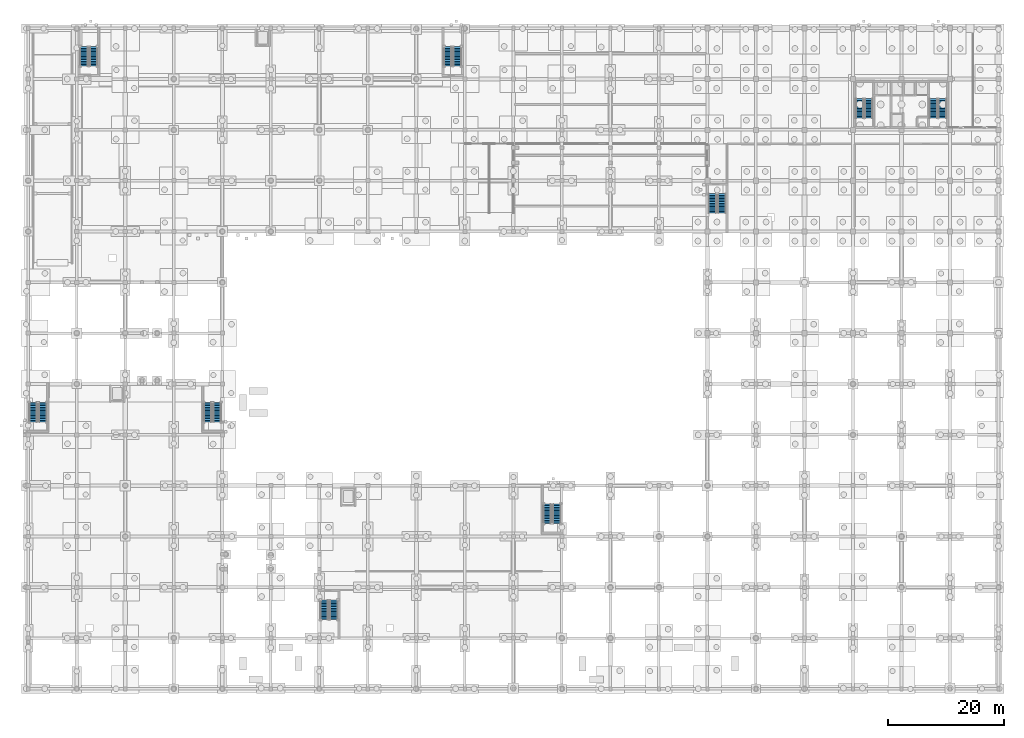
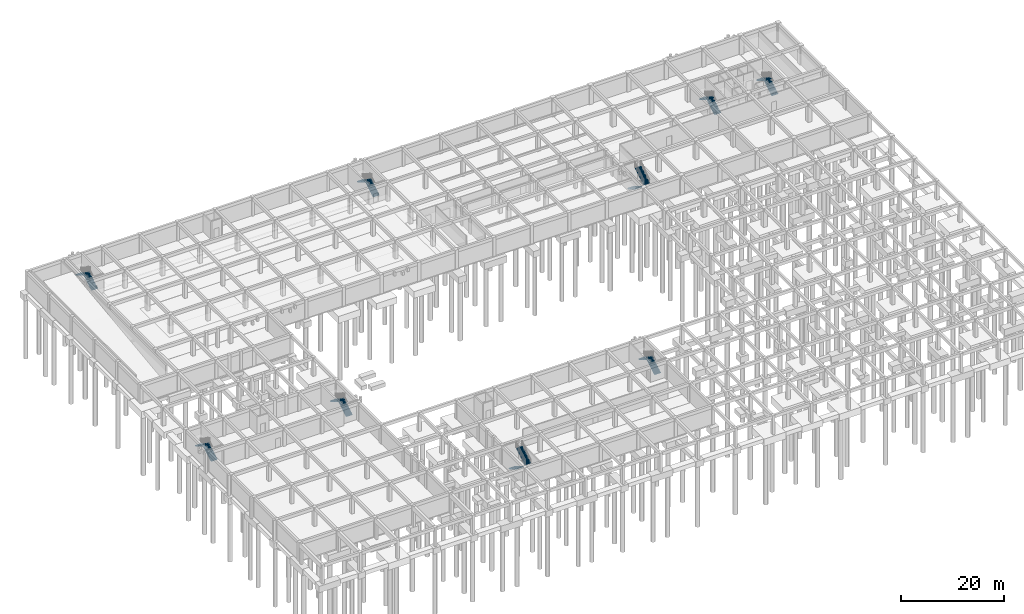
# One storey, part 30 of 41: 18 stair flights, 9 elements without a shape of their own.
"""IFC4 building model written with IfcOpenShell, lengths in metres."""

from ifc_helpers import new_model, si_unit, direction, frame, origin, place, context, subcontext, project, spatial, polyline, outline, extrude, material, type_object, element, aggregate, save


model = new_model("IFC4")

# Units and contexts
model_context = context("Model", 3, precision=1e-05, world=origin(), true_north=direction((0.0, 1.0)))
body_context = subcontext(model_context, "Body", "Model", "MODEL_VIEW")
ifc_project = project(units=[si_unit("LENGTHUNIT", "METRE"), si_unit("AREAUNIT", "SQUARE_METRE"), si_unit("VOLUMEUNIT", "CUBIC_METRE"), si_unit("PLANEANGLEUNIT", "RADIAN"), si_unit("MASSUNIT", "GRAM", prefix="KILO")], contexts=[model_context])

# Site, building, storey
site_placement = place(None, origin())
site = spatial("IfcSite", under=ifc_project, at=site_placement, CompositionType="ELEMENT")
building_placement = place(site_placement, origin())
building = spatial("IfcBuilding", under=site, at=building_placement, Name="Kemercrest Conservatory and Botanical Centre", CompositionType="ELEMENT")
storey_placement = place(building_placement, frame((0.0, 0.0, -4.5)))
storey = spatial("IfcBuildingStorey", under=building, at=storey_placement, Name="B1", CompositionType="ELEMENT", Elevation=-4.5)

# Stair, stair flights
ifc_material = material(Name="Concrete C40/50", Category="concrete")
stair_type_1 = type_object("IfcStairType", Name="ST-140-45", PredefinedType="HALF_TURN_STAIR", material=ifc_material)
stair_1_placement = place(storey_placement, origin())
stair_1 = element("IfcStair", 1, at=stair_1_placement, inside=storey, type_object=stair_type_1, Name="B1 Exit stair ST-V1A", PredefinedType="HALF_TURN_STAIR")
stair_flight_type_1 = type_object("IfcStairFlightType", Name="FL-140-45", PredefinedType="STRAIGHT", material=ifc_material)
stair_flight_1_placement = place(storey_placement, frame((10.5400390625, 54.239990234375, 0.0), z_axis=(0.0, 0.0, 1.0), x_axis=(0.0, 1.0, 0.0)))
stair_flight_1 = element("IfcStairFlight", 2, at=stair_flight_1_placement, type_object=stair_flight_type_1, Name="ST-V1A flight 1", NumberOfRisers=13, NumberOfTreads=12, PredefinedType="STRAIGHT", RiserHeight=0.173076923, TreadLength=0.28, context=body_context, shape_type="SweptSolid", body=[
    extrude(outline(polyline([(0.0, 0.0), (0.0, 0.173095703125), (0.280029296875, 0.173095703125), (0.280029296875, 0.34619140625), (0.56005859375, 0.34619140625), (0.56005859375, 0.519287109375), (0.840087890625, 0.519287109375), (0.840087890625, 0.6923828125), (1.1201171875, 0.6923828125), (1.1201171875, 0.865478515625), (1.39990234375, 0.865478515625), (1.39990234375, 1.03857421875), (1.679931640625, 1.03857421875), (1.679931640625, 1.21142578125), (1.9599609375, 1.21142578125), (1.9599609375, 1.384521484375), (2.239990234375, 1.384521484375), (2.239990234375, 1.5576171875), (2.52001953125, 1.5576171875), (2.52001953125, 1.730712890625), (2.800048828125, 1.730712890625), (2.800048828125, 1.90380859375), (3.080078125, 1.90380859375), (3.080078125, 2.076904296875), (3.360107421875, 2.076904296875), (3.360107421875, 2.25), (3.360107421875, 1.900634765625), (0.28515625, 0.0), (0.0, 0.0)])), frame((0.0, 0.699951171875, 0.0), z_axis=(0.0, -1.0, 0.0), x_axis=(1.0, 0.0, 0.0)), (0.0, 0.0, 1.0), 1.39990234375),
])
stair_flight_2_placement = place(storey_placement, frame((8.860107421875, 57.60009765625, 2.25), z_axis=(0.0, 0.0, 1.0), x_axis=(0.0, -1.0, 0.0)))
stair_flight_2 = element("IfcStairFlight", 3, at=stair_flight_2_placement, type_object=stair_flight_type_1, Name="ST-V1A flight 2", NumberOfRisers=13, NumberOfTreads=12, PredefinedType="STRAIGHT", RiserHeight=0.173076923, TreadLength=0.28, context=body_context, shape_type="SweptSolid", body=[
    extrude(outline(polyline([(0.0, 0.0), (0.0, 0.173095703125), (0.280029296875, 0.173095703125), (0.280029296875, 0.34619140625), (0.56005859375, 0.34619140625), (0.56005859375, 0.519287109375), (0.840087890625, 0.519287109375), (0.840087890625, 0.6923828125), (1.1201171875, 0.6923828125), (1.1201171875, 0.865478515625), (1.39990234375, 0.865478515625), (1.39990234375, 1.03857421875), (1.679931640625, 1.03857421875), (1.679931640625, 1.21142578125), (1.9599609375, 1.21142578125), (1.9599609375, 1.384521484375), (2.239990234375, 1.384521484375), (2.239990234375, 1.5576171875), (2.52001953125, 1.5576171875), (2.52001953125, 1.730712890625), (2.800048828125, 1.730712890625), (2.800048828125, 1.90380859375), (3.080078125, 1.90380859375), (3.080078125, 2.076904296875), (3.360107421875, 2.076904296875), (3.360107421875, 2.25), (3.360107421875, 1.900634765625), (0.28515625, 0.0), (0.0, 0.0)])), frame((0.0, 0.699951171875, 0.0), z_axis=(0.0, -1.0, 0.0), x_axis=(1.0, 0.0, 0.0)), (0.0, 0.0, 1.0), 1.39990234375),
])
aggregate(stair_1, [stair_flight_1, stair_flight_2])

stair_2_placement = place(storey_placement, origin())
stair_2 = element("IfcStair", 4, at=stair_2_placement, inside=storey, type_object=stair_type_1, Name="B1 Exit stair ST-V1B", PredefinedType="HALF_TURN_STAIR")
stair_flight_3_placement = place(storey_placement, frame((40.739990234375, 54.239990234375, 0.0), z_axis=(0.0, 0.0, 1.0), x_axis=(0.0, 1.0, 0.0)))
stair_flight_3 = element("IfcStairFlight", 5, at=stair_flight_3_placement, type_object=stair_flight_type_1, Name="ST-V1B flight 1", NumberOfRisers=13, NumberOfTreads=12, PredefinedType="STRAIGHT", RiserHeight=0.173076923, TreadLength=0.28, context=body_context, shape_type="SweptSolid", body=[
    extrude(outline(polyline([(0.0, 0.0), (0.0, 0.173095703125), (0.280029296875, 0.173095703125), (0.280029296875, 0.34619140625), (0.56005859375, 0.34619140625), (0.56005859375, 0.519287109375), (0.840087890625, 0.519287109375), (0.840087890625, 0.6923828125), (1.1201171875, 0.6923828125), (1.1201171875, 0.865478515625), (1.39990234375, 0.865478515625), (1.39990234375, 1.03857421875), (1.679931640625, 1.03857421875), (1.679931640625, 1.21142578125), (1.9599609375, 1.21142578125), (1.9599609375, 1.384521484375), (2.239990234375, 1.384521484375), (2.239990234375, 1.5576171875), (2.52001953125, 1.5576171875), (2.52001953125, 1.730712890625), (2.800048828125, 1.730712890625), (2.800048828125, 1.90380859375), (3.080078125, 1.90380859375), (3.080078125, 2.076904296875), (3.360107421875, 2.076904296875), (3.360107421875, 2.25), (3.360107421875, 1.900634765625), (0.28515625, 0.0), (0.0, 0.0)])), frame((0.0, 0.699951171875, 0.0), z_axis=(0.0, -1.0, 0.0), x_axis=(1.0, 0.0, 0.0)), (0.0, 0.0, 1.0), 1.39990234375),
])
stair_flight_4_placement = place(storey_placement, frame((39.06005859375, 57.60009765625, 2.25), z_axis=(0.0, 0.0, 1.0), x_axis=(0.0, -1.0, 0.0)))
stair_flight_4 = element("IfcStairFlight", 6, at=stair_flight_4_placement, type_object=stair_flight_type_1, Name="ST-V1B flight 2", NumberOfRisers=13, NumberOfTreads=12, PredefinedType="STRAIGHT", RiserHeight=0.173076923, TreadLength=0.28, context=body_context, shape_type="SweptSolid", body=[
    extrude(outline(polyline([(0.0, 0.0), (0.0, 0.173095703125), (0.280029296875, 0.173095703125), (0.280029296875, 0.34619140625), (0.56005859375, 0.34619140625), (0.56005859375, 0.519287109375), (0.840087890625, 0.519287109375), (0.840087890625, 0.6923828125), (1.1201171875, 0.6923828125), (1.1201171875, 0.865478515625), (1.39990234375, 0.865478515625), (1.39990234375, 1.03857421875), (1.679931640625, 1.03857421875), (1.679931640625, 1.21142578125), (1.9599609375, 1.21142578125), (1.9599609375, 1.384521484375), (2.239990234375, 1.384521484375), (2.239990234375, 1.5576171875), (2.52001953125, 1.5576171875), (2.52001953125, 1.730712890625), (2.800048828125, 1.730712890625), (2.800048828125, 1.90380859375), (3.080078125, 1.90380859375), (3.080078125, 2.076904296875), (3.360107421875, 2.076904296875), (3.360107421875, 2.25), (3.360107421875, 1.900634765625), (0.28515625, 0.0), (0.0, 0.0)])), frame((0.0, 0.699951171875, 0.0), z_axis=(0.0, -1.0, 0.0), x_axis=(1.0, 0.0, 0.0)), (0.0, 0.0, 1.0), 1.39990234375),
])
aggregate(stair_2, [stair_flight_3, stair_flight_4])

stair_3_placement = place(storey_placement, origin())
stair_3 = element("IfcStair", 7, at=stair_3_placement, inside=storey, type_object=stair_type_1, Name="B1 Exit stair ST-V2A", PredefinedType="HALF_TURN_STAIR")
stair_flight_5_placement = place(storey_placement, frame((59.260009765625, 23.360107421875, 0.0), z_axis=(0.0, 0.0, 1.0), x_axis=(0.0, -1.0, 0.0)))
stair_flight_5 = element("IfcStairFlight", 8, at=stair_flight_5_placement, type_object=stair_flight_type_1, Name="ST-V2A flight 1", NumberOfRisers=13, NumberOfTreads=12, PredefinedType="STRAIGHT", RiserHeight=0.173076923, TreadLength=0.28, context=body_context, shape_type="SweptSolid", body=[
    extrude(outline(polyline([(0.0, 0.0), (0.0, 0.173095703125), (0.280029296875, 0.173095703125), (0.280029296875, 0.34619140625), (0.56005859375, 0.34619140625), (0.56005859375, 0.519287109375), (0.840087890625, 0.519287109375), (0.840087890625, 0.6923828125), (1.1201171875, 0.6923828125), (1.1201171875, 0.865478515625), (1.39990234375, 0.865478515625), (1.39990234375, 1.03857421875), (1.679931640625, 1.03857421875), (1.679931640625, 1.21142578125), (1.9599609375, 1.21142578125), (1.9599609375, 1.384521484375), (2.239990234375, 1.384521484375), (2.239990234375, 1.5576171875), (2.52001953125, 1.5576171875), (2.52001953125, 1.730712890625), (2.800048828125, 1.730712890625), (2.800048828125, 1.90380859375), (3.080078125, 1.90380859375), (3.080078125, 2.076904296875), (3.360107421875, 2.076904296875), (3.360107421875, 2.25), (3.360107421875, 1.900634765625), (0.28515625, 0.0), (0.0, 0.0)])), frame((0.0, 0.699951171875, 0.0), z_axis=(0.0, -1.0, 0.0), x_axis=(1.0, 0.0, 0.0)), (0.0, 0.0, 1.0), 1.39990234375),
])
stair_flight_6_placement = place(storey_placement, frame((60.93994140625, 20.0, 2.25), z_axis=(0.0, 0.0, 1.0), x_axis=(0.0, 1.0, 0.0)))
stair_flight_6 = element("IfcStairFlight", 9, at=stair_flight_6_placement, type_object=stair_flight_type_1, Name="ST-V2A flight 2", NumberOfRisers=13, NumberOfTreads=12, PredefinedType="STRAIGHT", RiserHeight=0.173076923, TreadLength=0.28, context=body_context, shape_type="SweptSolid", body=[
    extrude(outline(polyline([(0.0, 0.0), (0.0, 0.173095703125), (0.280029296875, 0.173095703125), (0.280029296875, 0.34619140625), (0.56005859375, 0.34619140625), (0.56005859375, 0.519287109375), (0.840087890625, 0.519287109375), (0.840087890625, 0.6923828125), (1.1201171875, 0.6923828125), (1.1201171875, 0.865478515625), (1.39990234375, 0.865478515625), (1.39990234375, 1.03857421875), (1.679931640625, 1.03857421875), (1.679931640625, 1.21142578125), (1.9599609375, 1.21142578125), (1.9599609375, 1.384521484375), (2.239990234375, 1.384521484375), (2.239990234375, 1.5576171875), (2.52001953125, 1.5576171875), (2.52001953125, 1.730712890625), (2.800048828125, 1.730712890625), (2.800048828125, 1.90380859375), (3.080078125, 1.90380859375), (3.080078125, 2.076904296875), (3.360107421875, 2.076904296875), (3.360107421875, 2.25), (3.360107421875, 1.900634765625), (0.28515625, 0.0), (0.0, 0.0)])), frame((0.0, 0.699951171875, 0.0), z_axis=(0.0, -1.0, 0.0), x_axis=(1.0, 0.0, 0.0)), (0.0, 0.0, 1.0), 1.39990234375),
])
aggregate(stair_3, [stair_flight_5, stair_flight_6])

stair_4_placement = place(storey_placement, origin())
stair_4 = element("IfcStair", 10, at=stair_4_placement, inside=storey, type_object=stair_type_1, Name="B1 Exit stair ST-V2B", PredefinedType="HALF_TURN_STAIR")
stair_flight_7_placement = place(storey_placement, frame((99.5400390625, 36.639892578125, 0.0), z_axis=(0.0, 0.0, 1.0), x_axis=(0.0, 1.0, 0.0)))
stair_flight_7 = element("IfcStairFlight", 11, at=stair_flight_7_placement, type_object=stair_flight_type_1, Name="ST-V2B flight 1", NumberOfRisers=13, NumberOfTreads=12, PredefinedType="STRAIGHT", RiserHeight=0.173076923, TreadLength=0.28, context=body_context, shape_type="SweptSolid", body=[
    extrude(outline(polyline([(0.0, 0.0), (0.0, 0.173095703125), (0.280029296875, 0.173095703125), (0.280029296875, 0.34619140625), (0.56005859375, 0.34619140625), (0.56005859375, 0.519287109375), (0.840087890625, 0.519287109375), (0.840087890625, 0.6923828125), (1.1201171875, 0.6923828125), (1.1201171875, 0.865478515625), (1.39990234375, 0.865478515625), (1.39990234375, 1.03857421875), (1.679931640625, 1.03857421875), (1.679931640625, 1.21142578125), (1.9599609375, 1.21142578125), (1.9599609375, 1.384521484375), (2.239990234375, 1.384521484375), (2.239990234375, 1.5576171875), (2.52001953125, 1.5576171875), (2.52001953125, 1.730712890625), (2.800048828125, 1.730712890625), (2.800048828125, 1.90380859375), (3.080078125, 1.90380859375), (3.080078125, 2.076904296875), (3.360107421875, 2.076904296875), (3.360107421875, 2.25), (3.360107421875, 1.900634765625), (0.28515625, 0.0), (0.0, 0.0)])), frame((0.0, 0.699951171875, 0.0), z_axis=(0.0, -1.0, 0.0), x_axis=(1.0, 0.0, 0.0)), (0.0, 0.0, 1.0), 1.39990234375),
])
stair_flight_8_placement = place(storey_placement, frame((97.860107421875, 40.0, 2.25), z_axis=(0.0, 0.0, 1.0), x_axis=(0.0, -1.0, 0.0)))
stair_flight_8 = element("IfcStairFlight", 12, at=stair_flight_8_placement, type_object=stair_flight_type_1, Name="ST-V2B flight 2", NumberOfRisers=13, NumberOfTreads=12, PredefinedType="STRAIGHT", RiserHeight=0.173076923, TreadLength=0.28, context=body_context, shape_type="SweptSolid", body=[
    extrude(outline(polyline([(0.0, 0.0), (0.0, 0.173095703125), (0.280029296875, 0.173095703125), (0.280029296875, 0.34619140625), (0.56005859375, 0.34619140625), (0.56005859375, 0.519287109375), (0.840087890625, 0.519287109375), (0.840087890625, 0.6923828125), (1.1201171875, 0.6923828125), (1.1201171875, 0.865478515625), (1.39990234375, 0.865478515625), (1.39990234375, 1.03857421875), (1.679931640625, 1.03857421875), (1.679931640625, 1.21142578125), (1.9599609375, 1.21142578125), (1.9599609375, 1.384521484375), (2.239990234375, 1.384521484375), (2.239990234375, 1.5576171875), (2.52001953125, 1.5576171875), (2.52001953125, 1.730712890625), (2.800048828125, 1.730712890625), (2.800048828125, 1.90380859375), (3.080078125, 1.90380859375), (3.080078125, 2.076904296875), (3.360107421875, 2.076904296875), (3.360107421875, 2.25), (3.360107421875, 1.900634765625), (0.28515625, 0.0), (0.0, 0.0)])), frame((0.0, 0.699951171875, 0.0), z_axis=(0.0, -1.0, 0.0), x_axis=(1.0, 0.0, 0.0)), (0.0, 0.0, 1.0), 1.39990234375),
])
aggregate(stair_4, [stair_flight_7, stair_flight_8])

stair_5_placement = place(storey_placement, origin())
stair_5 = element("IfcStair", 13, at=stair_5_placement, inside=storey, type_object=stair_type_1, Name="B1 Exit stair ST-V3A", PredefinedType="HALF_TURN_STAIR")
stair_flight_9_placement = place(storey_placement, frame((19.340087890625, 115.840087890625, 0.0), z_axis=(0.0, 0.0, 1.0), x_axis=(0.0, 1.0, 0.0)))
stair_flight_9 = element("IfcStairFlight", 14, at=stair_flight_9_placement, type_object=stair_flight_type_1, Name="ST-V3A flight 1", NumberOfRisers=13, NumberOfTreads=12, PredefinedType="STRAIGHT", RiserHeight=0.173076923, TreadLength=0.28, context=body_context, shape_type="SweptSolid", body=[
    extrude(outline(polyline([(0.0, 0.0), (0.0, 0.173095703125), (0.280029296875, 0.173095703125), (0.280029296875, 0.34619140625), (0.56005859375, 0.34619140625), (0.56005859375, 0.519287109375), (0.840087890625, 0.519287109375), (0.840087890625, 0.6923828125), (1.1201171875, 0.6923828125), (1.1201171875, 0.865478515625), (1.39990234375, 0.865478515625), (1.39990234375, 1.03857421875), (1.679931640625, 1.03857421875), (1.679931640625, 1.21142578125), (1.9599609375, 1.21142578125), (1.9599609375, 1.384521484375), (2.239990234375, 1.384521484375), (2.239990234375, 1.5576171875), (2.52001953125, 1.5576171875), (2.52001953125, 1.730712890625), (2.800048828125, 1.730712890625), (2.800048828125, 1.90380859375), (3.080078125, 1.90380859375), (3.080078125, 2.076904296875), (3.360107421875, 2.076904296875), (3.360107421875, 2.25), (3.360107421875, 1.900634765625), (0.28515625, 0.0), (0.0, 0.0)])), frame((0.0, 0.699951171875, 0.0), z_axis=(0.0, -1.0, 0.0), x_axis=(1.0, 0.0, 0.0)), (0.0, 0.0, 1.0), 1.39990234375),
])
stair_flight_10_placement = place(storey_placement, frame((17.659912109375, 119.199951171875, 2.25), z_axis=(0.0, 0.0, 1.0), x_axis=(0.0, -1.0, 0.0)))
stair_flight_10 = element("IfcStairFlight", 15, at=stair_flight_10_placement, type_object=stair_flight_type_1, Name="ST-V3A flight 2", NumberOfRisers=13, NumberOfTreads=12, PredefinedType="STRAIGHT", RiserHeight=0.173076923, TreadLength=0.28, context=body_context, shape_type="SweptSolid", body=[
    extrude(outline(polyline([(0.0, 0.0), (0.0, 0.173095703125), (0.280029296875, 0.173095703125), (0.280029296875, 0.34619140625), (0.56005859375, 0.34619140625), (0.56005859375, 0.519287109375), (0.840087890625, 0.519287109375), (0.840087890625, 0.6923828125), (1.1201171875, 0.6923828125), (1.1201171875, 0.865478515625), (1.39990234375, 0.865478515625), (1.39990234375, 1.03857421875), (1.679931640625, 1.03857421875), (1.679931640625, 1.21142578125), (1.9599609375, 1.21142578125), (1.9599609375, 1.384521484375), (2.239990234375, 1.384521484375), (2.239990234375, 1.5576171875), (2.52001953125, 1.5576171875), (2.52001953125, 1.730712890625), (2.800048828125, 1.730712890625), (2.800048828125, 1.90380859375), (3.080078125, 1.90380859375), (3.080078125, 2.076904296875), (3.360107421875, 2.076904296875), (3.360107421875, 2.25), (3.360107421875, 1.900634765625), (0.28515625, 0.0), (0.0, 0.0)])), frame((0.0, 0.699951171875, 0.0), z_axis=(0.0, -1.0, 0.0), x_axis=(1.0, 0.0, 0.0)), (0.0, 0.0, 1.0), 1.39990234375),
])
aggregate(stair_5, [stair_flight_9, stair_flight_10])

stair_6_placement = place(storey_placement, origin())
stair_6 = element("IfcStair", 16, at=stair_6_placement, inside=storey, type_object=stair_type_1, Name="B1 Exit stair ST-V3B", PredefinedType="HALF_TURN_STAIR")
stair_flight_11_placement = place(storey_placement, frame((82.340087890625, 115.840087890625, 0.0), z_axis=(0.0, 0.0, 1.0), x_axis=(0.0, 1.0, 0.0)))
stair_flight_11 = element("IfcStairFlight", 17, at=stair_flight_11_placement, type_object=stair_flight_type_1, Name="ST-V3B flight 1", NumberOfRisers=13, NumberOfTreads=12, PredefinedType="STRAIGHT", RiserHeight=0.173076923, TreadLength=0.28, context=body_context, shape_type="SweptSolid", body=[
    extrude(outline(polyline([(0.0, 0.0), (0.0, 0.173095703125), (0.280029296875, 0.173095703125), (0.280029296875, 0.34619140625), (0.56005859375, 0.34619140625), (0.56005859375, 0.519287109375), (0.840087890625, 0.519287109375), (0.840087890625, 0.6923828125), (1.1201171875, 0.6923828125), (1.1201171875, 0.865478515625), (1.39990234375, 0.865478515625), (1.39990234375, 1.03857421875), (1.679931640625, 1.03857421875), (1.679931640625, 1.21142578125), (1.9599609375, 1.21142578125), (1.9599609375, 1.384521484375), (2.239990234375, 1.384521484375), (2.239990234375, 1.5576171875), (2.52001953125, 1.5576171875), (2.52001953125, 1.730712890625), (2.800048828125, 1.730712890625), (2.800048828125, 1.90380859375), (3.080078125, 1.90380859375), (3.080078125, 2.076904296875), (3.360107421875, 2.076904296875), (3.360107421875, 2.25), (3.360107421875, 1.900634765625), (0.28515625, 0.0), (0.0, 0.0)])), frame((0.0, 0.699951171875, 0.0), z_axis=(0.0, -1.0, 0.0), x_axis=(1.0, 0.0, 0.0)), (0.0, 0.0, 1.0), 1.39990234375),
])
stair_flight_12_placement = place(storey_placement, frame((80.659912109375, 119.199951171875, 2.25), z_axis=(0.0, 0.0, 1.0), x_axis=(0.0, -1.0, 0.0)))
stair_flight_12 = element("IfcStairFlight", 18, at=stair_flight_12_placement, type_object=stair_flight_type_1, Name="ST-V3B flight 2", NumberOfRisers=13, NumberOfTreads=12, PredefinedType="STRAIGHT", RiserHeight=0.173076923, TreadLength=0.28, context=body_context, shape_type="SweptSolid", body=[
    extrude(outline(polyline([(0.0, 0.0), (0.0, 0.173095703125), (0.280029296875, 0.173095703125), (0.280029296875, 0.34619140625), (0.56005859375, 0.34619140625), (0.56005859375, 0.519287109375), (0.840087890625, 0.519287109375), (0.840087890625, 0.6923828125), (1.1201171875, 0.6923828125), (1.1201171875, 0.865478515625), (1.39990234375, 0.865478515625), (1.39990234375, 1.03857421875), (1.679931640625, 1.03857421875), (1.679931640625, 1.21142578125), (1.9599609375, 1.21142578125), (1.9599609375, 1.384521484375), (2.239990234375, 1.384521484375), (2.239990234375, 1.5576171875), (2.52001953125, 1.5576171875), (2.52001953125, 1.730712890625), (2.800048828125, 1.730712890625), (2.800048828125, 1.90380859375), (3.080078125, 1.90380859375), (3.080078125, 2.076904296875), (3.360107421875, 2.076904296875), (3.360107421875, 2.25), (3.360107421875, 1.900634765625), (0.28515625, 0.0), (0.0, 0.0)])), frame((0.0, 0.699951171875, 0.0), z_axis=(0.0, -1.0, 0.0), x_axis=(1.0, 0.0, 0.0)), (0.0, 0.0, 1.0), 1.39990234375),
])
aggregate(stair_6, [stair_flight_11, stair_flight_12])

stair_7_placement = place(storey_placement, origin())
stair_7 = element("IfcStair", 19, at=stair_7_placement, inside=storey, type_object=stair_type_1, Name="B1 Exit stair ST-V4C", PredefinedType="HALF_TURN_STAIR")
stair_flight_13_placement = place(storey_placement, frame((126.4599609375, 93.760009765625, 0.0), z_axis=(0.0, 0.0, 1.0), x_axis=(0.0, -1.0, 0.0)))
stair_flight_13 = element("IfcStairFlight", 20, at=stair_flight_13_placement, type_object=stair_flight_type_1, Name="ST-V4C flight 1", NumberOfRisers=13, NumberOfTreads=12, PredefinedType="STRAIGHT", RiserHeight=0.173076923, TreadLength=0.28, context=body_context, shape_type="SweptSolid", body=[
    extrude(outline(polyline([(0.0, 0.0), (0.0, 0.173095703125), (0.280029296875, 0.173095703125), (0.280029296875, 0.34619140625), (0.56005859375, 0.34619140625), (0.56005859375, 0.519287109375), (0.840087890625, 0.519287109375), (0.840087890625, 0.6923828125), (1.1201171875, 0.6923828125), (1.1201171875, 0.865478515625), (1.39990234375, 0.865478515625), (1.39990234375, 1.03857421875), (1.679931640625, 1.03857421875), (1.679931640625, 1.21142578125), (1.9599609375, 1.21142578125), (1.9599609375, 1.384521484375), (2.239990234375, 1.384521484375), (2.239990234375, 1.5576171875), (2.52001953125, 1.5576171875), (2.52001953125, 1.730712890625), (2.800048828125, 1.730712890625), (2.800048828125, 1.90380859375), (3.080078125, 1.90380859375), (3.080078125, 2.076904296875), (3.360107421875, 2.076904296875), (3.360107421875, 2.25), (3.360107421875, 1.900634765625), (0.28515625, 0.0), (0.0, 0.0)])), frame((0.0, 0.699951171875, 0.0), z_axis=(0.0, -1.0, 0.0), x_axis=(1.0, 0.0, 0.0)), (0.0, 0.0, 1.0), 1.39990234375),
])
stair_flight_14_placement = place(storey_placement, frame((128.139892578125, 90.39990234375, 2.25), z_axis=(0.0, 0.0, 1.0), x_axis=(0.0, 1.0, 0.0)))
stair_flight_14 = element("IfcStairFlight", 21, at=stair_flight_14_placement, type_object=stair_flight_type_1, Name="ST-V4C flight 2", NumberOfRisers=13, NumberOfTreads=12, PredefinedType="STRAIGHT", RiserHeight=0.173076923, TreadLength=0.28, context=body_context, shape_type="SweptSolid", body=[
    extrude(outline(polyline([(0.0, 0.0), (0.0, 0.173095703125), (0.280029296875, 0.173095703125), (0.280029296875, 0.34619140625), (0.56005859375, 0.34619140625), (0.56005859375, 0.519287109375), (0.840087890625, 0.519287109375), (0.840087890625, 0.6923828125), (1.1201171875, 0.6923828125), (1.1201171875, 0.865478515625), (1.39990234375, 0.865478515625), (1.39990234375, 1.03857421875), (1.679931640625, 1.03857421875), (1.679931640625, 1.21142578125), (1.9599609375, 1.21142578125), (1.9599609375, 1.384521484375), (2.239990234375, 1.384521484375), (2.239990234375, 1.5576171875), (2.52001953125, 1.5576171875), (2.52001953125, 1.730712890625), (2.800048828125, 1.730712890625), (2.800048828125, 1.90380859375), (3.080078125, 1.90380859375), (3.080078125, 2.076904296875), (3.360107421875, 2.076904296875), (3.360107421875, 2.25), (3.360107421875, 1.900634765625), (0.28515625, 0.0), (0.0, 0.0)])), frame((0.0, 0.699951171875, 0.0), z_axis=(0.0, -1.0, 0.0), x_axis=(1.0, 0.0, 0.0)), (0.0, 0.0, 1.0), 1.39990234375),
])
aggregate(stair_7, [stair_flight_13, stair_flight_14])

stair_type_2 = type_object("IfcStairType", Name="ST-142-45", PredefinedType="HALF_TURN_STAIR", material=ifc_material)
stair_8_placement = place(storey_placement, origin())
stair_8 = element("IfcStair", 22, at=stair_8_placement, inside=storey, type_object=stair_type_2, Name="B1 Exit stair ST-V4A", PredefinedType="HALF_TURN_STAIR")
stair_flight_type_2 = type_object("IfcStairFlightType", Name="FL-142-45", PredefinedType="STRAIGHT", material=ifc_material)
stair_flight_15_placement = place(storey_placement, frame((153.530029296875, 106.840087890625, 0.0), z_axis=(0.0, 0.0, 1.0), x_axis=(0.0, 1.0, 0.0)))
stair_flight_15 = element("IfcStairFlight", 23, at=stair_flight_15_placement, type_object=stair_flight_type_2, Name="ST-V4A flight 1", NumberOfRisers=13, NumberOfTreads=12, PredefinedType="STRAIGHT", RiserHeight=0.173076923, TreadLength=0.28, context=body_context, shape_type="SweptSolid", body=[
    extrude(outline(polyline([(0.0, 0.0), (0.0, 0.173095703125), (0.280029296875, 0.173095703125), (0.280029296875, 0.34619140625), (0.56005859375, 0.34619140625), (0.56005859375, 0.519287109375), (0.840087890625, 0.519287109375), (0.840087890625, 0.6923828125), (1.1201171875, 0.6923828125), (1.1201171875, 0.865478515625), (1.39990234375, 0.865478515625), (1.39990234375, 1.03857421875), (1.679931640625, 1.03857421875), (1.679931640625, 1.21142578125), (1.9599609375, 1.21142578125), (1.9599609375, 1.384521484375), (2.239990234375, 1.384521484375), (2.239990234375, 1.5576171875), (2.52001953125, 1.5576171875), (2.52001953125, 1.730712890625), (2.800048828125, 1.730712890625), (2.800048828125, 1.90380859375), (3.080078125, 1.90380859375), (3.080078125, 2.076904296875), (3.360107421875, 2.076904296875), (3.360107421875, 2.25), (3.360107421875, 1.900634765625), (0.28515625, 0.0), (0.0, 0.0)])), frame((0.0, 0.7099609375, 0.0), z_axis=(0.0, -1.0, 0.0), x_axis=(1.0, 0.0, 0.0)), (0.0, 0.0, 1.0), 1.419921875),
])
stair_flight_16_placement = place(storey_placement, frame((151.969970703125, 110.199951171875, 2.25), z_axis=(0.0, 0.0, 1.0), x_axis=(0.0, -1.0, 0.0)))
stair_flight_16 = element("IfcStairFlight", 24, at=stair_flight_16_placement, type_object=stair_flight_type_2, Name="ST-V4A flight 2", NumberOfRisers=13, NumberOfTreads=12, PredefinedType="STRAIGHT", RiserHeight=0.173076923, TreadLength=0.28, context=body_context, shape_type="SweptSolid", body=[
    extrude(outline(polyline([(0.0, 0.0), (0.0, 0.173095703125), (0.280029296875, 0.173095703125), (0.280029296875, 0.34619140625), (0.56005859375, 0.34619140625), (0.56005859375, 0.519287109375), (0.840087890625, 0.519287109375), (0.840087890625, 0.6923828125), (1.1201171875, 0.6923828125), (1.1201171875, 0.865478515625), (1.39990234375, 0.865478515625), (1.39990234375, 1.03857421875), (1.679931640625, 1.03857421875), (1.679931640625, 1.21142578125), (1.9599609375, 1.21142578125), (1.9599609375, 1.384521484375), (2.239990234375, 1.384521484375), (2.239990234375, 1.5576171875), (2.52001953125, 1.5576171875), (2.52001953125, 1.730712890625), (2.800048828125, 1.730712890625), (2.800048828125, 1.90380859375), (3.080078125, 1.90380859375), (3.080078125, 2.076904296875), (3.360107421875, 2.076904296875), (3.360107421875, 2.25), (3.360107421875, 1.900634765625), (0.28515625, 0.0), (0.0, 0.0)])), frame((0.0, 0.7099609375, 0.0), z_axis=(0.0, -1.0, 0.0), x_axis=(1.0, 0.0, 0.0)), (0.0, 0.0, 1.0), 1.419921875),
])
aggregate(stair_8, [stair_flight_15, stair_flight_16])

stair_9_placement = place(storey_placement, origin())
stair_9 = element("IfcStair", 25, at=stair_9_placement, inside=storey, type_object=stair_type_2, Name="B1 Exit stair ST-V4B", PredefinedType="HALF_TURN_STAIR")
stair_flight_17_placement = place(storey_placement, frame((166.330078125, 106.840087890625, 0.0), z_axis=(0.0, 0.0, 1.0), x_axis=(0.0, 1.0, 0.0)))
stair_flight_17 = element("IfcStairFlight", 26, at=stair_flight_17_placement, type_object=stair_flight_type_2, Name="ST-V4B flight 1", NumberOfRisers=13, NumberOfTreads=12, PredefinedType="STRAIGHT", RiserHeight=0.173076923, TreadLength=0.28, context=body_context, shape_type="SweptSolid", body=[
    extrude(outline(polyline([(0.0, 0.0), (0.0, 0.173095703125), (0.280029296875, 0.173095703125), (0.280029296875, 0.34619140625), (0.56005859375, 0.34619140625), (0.56005859375, 0.519287109375), (0.840087890625, 0.519287109375), (0.840087890625, 0.6923828125), (1.1201171875, 0.6923828125), (1.1201171875, 0.865478515625), (1.39990234375, 0.865478515625), (1.39990234375, 1.03857421875), (1.679931640625, 1.03857421875), (1.679931640625, 1.21142578125), (1.9599609375, 1.21142578125), (1.9599609375, 1.384521484375), (2.239990234375, 1.384521484375), (2.239990234375, 1.5576171875), (2.52001953125, 1.5576171875), (2.52001953125, 1.730712890625), (2.800048828125, 1.730712890625), (2.800048828125, 1.90380859375), (3.080078125, 1.90380859375), (3.080078125, 2.076904296875), (3.360107421875, 2.076904296875), (3.360107421875, 2.25), (3.360107421875, 1.900634765625), (0.28515625, 0.0), (0.0, 0.0)])), frame((0.0, 0.7099609375, 0.0), z_axis=(0.0, -1.0, 0.0), x_axis=(1.0, 0.0, 0.0)), (0.0, 0.0, 1.0), 1.419921875),
])
stair_flight_18_placement = place(storey_placement, frame((164.77001953125, 110.199951171875, 2.25), z_axis=(0.0, 0.0, 1.0), x_axis=(0.0, -1.0, 0.0)))
stair_flight_18 = element("IfcStairFlight", 27, at=stair_flight_18_placement, type_object=stair_flight_type_2, Name="ST-V4B flight 2", NumberOfRisers=13, NumberOfTreads=12, PredefinedType="STRAIGHT", RiserHeight=0.173076923, TreadLength=0.28, context=body_context, shape_type="SweptSolid", body=[
    extrude(outline(polyline([(0.0, 0.0), (0.0, 0.173095703125), (0.280029296875, 0.173095703125), (0.280029296875, 0.34619140625), (0.56005859375, 0.34619140625), (0.56005859375, 0.519287109375), (0.840087890625, 0.519287109375), (0.840087890625, 0.6923828125), (1.1201171875, 0.6923828125), (1.1201171875, 0.865478515625), (1.39990234375, 0.865478515625), (1.39990234375, 1.03857421875), (1.679931640625, 1.03857421875), (1.679931640625, 1.21142578125), (1.9599609375, 1.21142578125), (1.9599609375, 1.384521484375), (2.239990234375, 1.384521484375), (2.239990234375, 1.5576171875), (2.52001953125, 1.5576171875), (2.52001953125, 1.730712890625), (2.800048828125, 1.730712890625), (2.800048828125, 1.90380859375), (3.080078125, 1.90380859375), (3.080078125, 2.076904296875), (3.360107421875, 2.076904296875), (3.360107421875, 2.25), (3.360107421875, 1.900634765625), (0.28515625, 0.0), (0.0, 0.0)])), frame((0.0, 0.7099609375, 0.0), z_axis=(0.0, -1.0, 0.0), x_axis=(1.0, 0.0, 0.0)), (0.0, 0.0, 1.0), 1.419921875),
])
aggregate(stair_9, [stair_flight_17, stair_flight_18])

save(model, "model.ifc")
